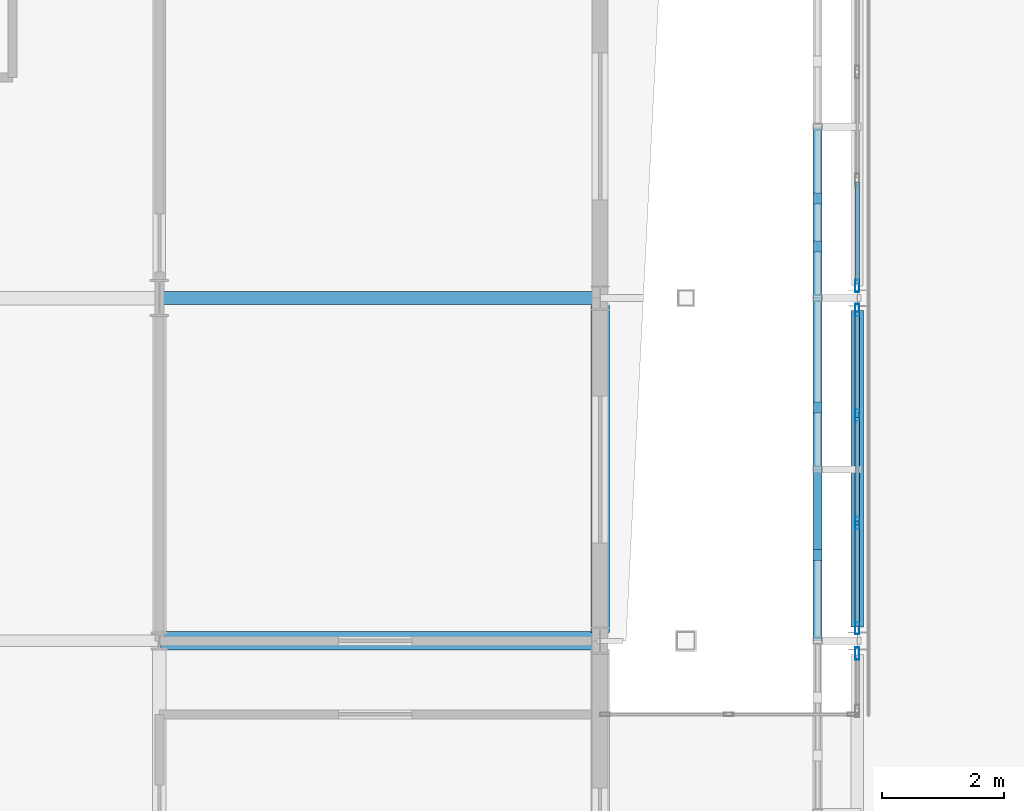
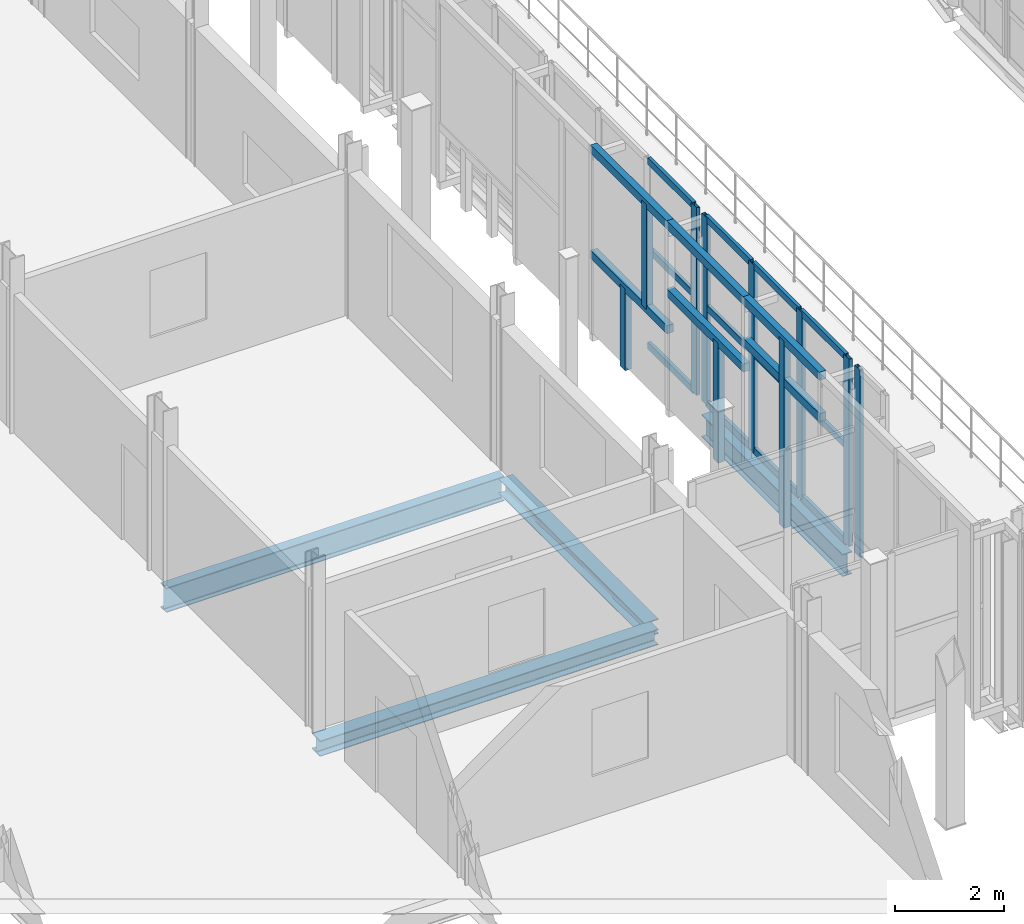
# One storey, part 21 of 78: 28 members, 4 beams, 3 elements without a shape of their own.
"""IFC4 building model written with IfcOpenShell, lengths in metres."""

from ifc_helpers import new_model, si_unit, direction, frame, origin, origin_2d, place, context, subcontext, project, spatial, rectangle, hollow_rectangle, i_section, extrude, material, layer, layer_set, material_profile, profile_set, type_object, element, aggregate, save


model = new_model("IFC4")

# Units and contexts
model_context = context("Model", 3, precision=1e-05, world=origin(), true_north=direction((0.0, 1.0)))
body_context = subcontext(model_context, "Body", "Model", "MODEL_VIEW")
ifc_project = project(units=[si_unit("LENGTHUNIT", "METRE"), si_unit("AREAUNIT", "SQUARE_METRE"), si_unit("VOLUMEUNIT", "CUBIC_METRE"), si_unit("PLANEANGLEUNIT", "RADIAN"), si_unit("MASSUNIT", "GRAM", prefix="KILO")], contexts=[model_context])

# Site, building, storey
site_placement = place(None, origin())
site = spatial("IfcSite", under=ifc_project, at=site_placement, CompositionType="ELEMENT")
building_placement = place(site_placement, origin())
building = spatial("IfcBuilding", under=site, at=building_placement, Name="Vinh Khe Railworks Police Headquarters", CompositionType="ELEMENT")
storey_placement = place(building_placement, frame((0.0, 0.0, 13.199951171875)))
storey = spatial("IfcBuildingStorey", under=building, at=storey_placement, Name="L03", CompositionType="ELEMENT", Elevation=13.199951171875)

# Members
ifc_material_1 = material(Name="Salvaged ironwood timber", Category="wood")
ifc_material_profile_1 = material_profile(ifc_material_1, rectangle(XDim=0.139892578125, YDim=0.179931640625, at=origin_2d()), Name="TIMBER 140x180")
ifc_profile_set_1 = profile_set([ifc_material_profile_1], Name="Salvaged ironwood timber")
member_type_1 = type_object("IfcMemberType", Name="MEM-QUILT-STILE", PredefinedType="CHORD", material=ifc_profile_set_1)
for number, where, z_axis, x_axis, name in (
    (1, (25.75, 30.800048828125, 4.1201171875), (0.0, 1.0, 0.0), (-1.0, 0.0, 0.0), "Salvaged Timber Quilt Transom W-L03-02-TOP"),
    (2, (25.75, 30.800048828125, 3.192138671875), (0.0, 1.0, 0.0), (-1.0, 0.0, 0.0), "Salvaged Timber Quilt Transom W-L03-02-M1"),
):
    element("IfcMember", number, at=place(storey_placement, frame(where, z_axis=z_axis, x_axis=x_axis)), inside=storey, type_object=member_type_1, Name=name, PredefinedType="CHORD", context=body_context, shape_type="SweptSolid", body=[
        extrude(rectangle(XDim=0.139892578125, YDim=0.179931640625, at=origin_2d()), origin(), (0.0, 0.0, 1.0), 2.800048828125),
    ])
member_1_placement = place(storey_placement, frame((25.75, 32.199951171875, -0.079833984375), z_axis=(0.0, 0.0, 1.0), x_axis=(1.0, 0.0, 0.0)))
element("IfcMember", 3, at=member_1_placement, inside=storey, type_object=member_type_1, Name="Salvaged Timber Quilt Stile W-L03-02-V1", PredefinedType="POST", context=body_context, shape_type="SweptSolid", body=[
    extrude(rectangle(XDim=0.139892578125, YDim=0.179931640625, at=origin_2d()), origin(), (0.0, 0.0, 1.0), 4.199951171875),
])
for number, where, z_axis, x_axis, name in (
    (4, (25.75, 33.60009765625, 4.1201171875), (0.0, 1.0, 0.0), (-1.0, 0.0, 0.0), "Salvaged Timber Quilt Transom W-L03-03-TOP"),
    (5, (25.75, 33.60009765625, 2.60400390625), (0.0, 1.0, 0.0), (-1.0, 0.0, 0.0), "Salvaged Timber Quilt Transom W-L03-03-M1"),
):
    element("IfcMember", number, at=place(storey_placement, frame(where, z_axis=z_axis, x_axis=x_axis)), inside=storey, type_object=member_type_1, Name=name, PredefinedType="CHORD", context=body_context, shape_type="SweptSolid", body=[
        extrude(rectangle(XDim=0.139892578125, YDim=0.179931640625, at=origin_2d()), origin(), (0.0, 0.0, 1.0), 2.7998046875),
    ])
member_2_placement = place(storey_placement, frame((25.75, 34.60791015625, -0.079833984375), z_axis=(0.0, 0.0, 1.0), x_axis=(1.0, 0.0, 0.0)))
element("IfcMember", 6, at=member_2_placement, inside=storey, type_object=member_type_1, Name="Salvaged Timber Quilt Stile W-L03-03-V1", PredefinedType="POST", context=body_context, shape_type="SweptSolid", body=[
    extrude(rectangle(XDim=0.139892578125, YDim=0.179931640625, at=origin_2d()), origin(), (0.0, 0.0, 1.0), 2.683837890625),
])
for number, where, z_axis, x_axis, name in (
    (7, (25.75, 36.39990234375, 4.1201171875), (0.0, 1.0, 0.0), (-1.0, 0.0, 0.0), "Salvaged Timber Quilt Transom W-L03-04-TOP"),
    (8, (25.75, 36.39990234375, 1.76416015625), (0.0, 1.0, 0.0), (-1.0, 0.0, 0.0), "Salvaged Timber Quilt Transom W-L03-04-M1"),
):
    element("IfcMember", number, at=place(storey_placement, frame(where, z_axis=z_axis, x_axis=x_axis)), inside=storey, type_object=member_type_1, Name=name, PredefinedType="CHORD", context=body_context, shape_type="SweptSolid", body=[
        extrude(rectangle(XDim=0.139892578125, YDim=0.179931640625, at=origin_2d()), origin(), (0.0, 0.0, 1.0), 2.800048828125),
    ])
member_3_placement = place(storey_placement, frame((25.75, 38.02392578125, -0.079833984375), z_axis=(0.0, 0.0, 1.0), x_axis=(1.0, 0.0, 0.0)))
element("IfcMember", 9, at=member_3_placement, inside=storey, type_object=member_type_1, Name="Salvaged Timber Quilt Stile W-L03-04-V1", PredefinedType="POST", context=body_context, shape_type="SweptSolid", body=[
    extrude(rectangle(XDim=0.139892578125, YDim=0.179931640625, at=origin_2d()), origin(), (0.0, 0.0, 1.0), 1.843994140625),
])
member_4_placement = place(storey_placement, frame((25.75, 37.239990234375, 1.76416015625), z_axis=(0.0, 0.0, 1.0), x_axis=(1.0, 0.0, 0.0)))
element("IfcMember", 10, at=member_4_placement, inside=storey, type_object=member_type_1, Name="Salvaged Timber Quilt Stile W-L03-04-V2", PredefinedType="POST", context=body_context, shape_type="SweptSolid", body=[
    extrude(rectangle(XDim=0.139892578125, YDim=0.179931640625, at=origin_2d()), origin(), (0.0, 0.0, 1.0), 2.35595703125),
])

# Curtain wall, member
ifc_material_2 = material(Name="Anodised aluminium and low-iron glass", Category="aluminium")
ifc_layer = layer(ifc_material_2, 0.179931640625)
ifc_layer_set = layer_set([ifc_layer], Name="Anodised aluminium and low-iron glass")
curtain_wall_type = type_object("IfcCurtainWallType", Name="CW-CUBE-UNIT", PredefinedType="USERDEFINED", material=ifc_layer_set)
curtain_wall_1_placement = place(storey_placement, origin())
curtain_wall_1 = element("IfcCurtainWall", 11, at=curtain_wall_1_placement, inside=storey, type_object=curtain_wall_type, Name="Entrance Hall Curtain Wall L03 W-1N", ObjectType="UNITISED GLAZING", PredefinedType="USERDEFINED")
ifc_material_3 = material(Name="Anodised aluminium 6063-T6", Category="aluminium")
ifc_material_profile_2 = material_profile(ifc_material_3, hollow_rectangle(XDim=0.070068359375, YDim=0.199951171875, WallThickness=0.0048828125, at=origin_2d()), Name="CW-M 70x200x5")
ifc_profile_set_2 = profile_set([ifc_material_profile_2], Name="Anodised aluminium 6063-T6")
member_type_2 = type_object("IfcMemberType", Name="MULL-CWM-03", PredefinedType="MULLION", material=ifc_profile_set_2)
member_5_placement = place(storey_placement, frame((26.39990234375, 30.594970703125, 0.0), z_axis=(0.0, 0.0, 1.0), x_axis=(-1.0, 0.0, 0.0)))
member_5 = element("IfcMember", 12, at=member_5_placement, type_object=member_type_2, Name="CW-01 mullion 2", PredefinedType="MULLION", context=body_context, shape_type="SweptSolid", body=[
    extrude(hollow_rectangle(XDim=0.070068359375, YDim=0.199951171875, WallThickness=0.0048828125, at=origin_2d()), origin(), (0.0, 0.0, 1.0), 4.199951171875),
])
aggregate(curtain_wall_1, [member_5])

# Curtain wall, members
curtain_wall_2_placement = place(storey_placement, origin())
curtain_wall_2 = element("IfcCurtainWall", 13, at=curtain_wall_2_placement, inside=storey, type_object=curtain_wall_type, Name="Entrance Hall Curtain Wall L03 W-2", ObjectType="UNITISED GLAZING", PredefinedType="USERDEFINED")
member_6_placement = place(storey_placement, frame((26.39990234375, 31.0048828125, 0.0), z_axis=(0.0, 0.0, 1.0), x_axis=(-1.0, 0.0, 0.0)))
member_6 = element("IfcMember", 14, at=member_6_placement, type_object=member_type_2, Name="CW-01 mullion 1", PredefinedType="MULLION", context=body_context, shape_type="SweptSolid", body=[
    extrude(hollow_rectangle(XDim=0.070068359375, YDim=0.199951171875, WallThickness=0.0048828125, at=origin_2d()), origin(), (0.0, 0.0, 1.0), 4.199951171875),
])
member_7_placement = place(storey_placement, frame((26.39990234375, 32.7265625, 0.0), z_axis=(0.0, 0.0, 1.0), x_axis=(-1.0, 0.0, 0.0)))
member_7 = element("IfcMember", 15, at=member_7_placement, type_object=member_type_2, Name="CW-01 mullion 2", PredefinedType="MULLION", context=body_context, shape_type="SweptSolid", body=[
    extrude(hollow_rectangle(XDim=0.070068359375, YDim=0.199951171875, WallThickness=0.0048828125, at=origin_2d()), origin(), (0.0, 0.0, 1.0), 4.199951171875),
])
member_8_placement = place(storey_placement, frame((26.39990234375, 34.4833984375, 0.0), z_axis=(0.0, 0.0, 1.0), x_axis=(-1.0, 0.0, 0.0)))
member_8 = element("IfcMember", 16, at=member_8_placement, type_object=member_type_2, Name="CW-01 mullion 3", PredefinedType="MULLION", context=body_context, shape_type="SweptSolid", body=[
    extrude(hollow_rectangle(XDim=0.070068359375, YDim=0.199951171875, WallThickness=0.0048828125, at=origin_2d()), origin(), (0.0, 0.0, 1.0), 4.199951171875),
])
member_9_placement = place(storey_placement, frame((26.39990234375, 36.205078125, 0.0), z_axis=(0.0, 0.0, 1.0), x_axis=(-1.0, 0.0, 0.0)))
member_9 = element("IfcMember", 17, at=member_9_placement, type_object=member_type_2, Name="CW-01 mullion 4", PredefinedType="MULLION", context=body_context, shape_type="SweptSolid", body=[
    extrude(hollow_rectangle(XDim=0.070068359375, YDim=0.199951171875, WallThickness=0.0048828125, at=origin_2d()), origin(), (0.0, 0.0, 1.0), 4.199951171875),
])

# Curtain wall, member
curtain_wall_3_placement = place(storey_placement, origin())
curtain_wall_3 = element("IfcCurtainWall", 18, at=curtain_wall_3_placement, inside=storey, type_object=curtain_wall_type, Name="Entrance Hall Curtain Wall L03 W-3", ObjectType="UNITISED GLAZING", PredefinedType="USERDEFINED")
member_10_placement = place(storey_placement, frame((26.39990234375, 36.594970703125, 0.0), z_axis=(0.0, 0.0, 1.0), x_axis=(-1.0, 0.0, 0.0)))
member_10 = element("IfcMember", 19, at=member_10_placement, type_object=member_type_2, Name="CW-01 mullion 1", PredefinedType="MULLION", context=body_context, shape_type="SweptSolid", body=[
    extrude(hollow_rectangle(XDim=0.070068359375, YDim=0.199951171875, WallThickness=0.0048828125, at=origin_2d()), origin(), (0.0, 0.0, 1.0), 4.199951171875),
])

# Beams
ifc_material_4 = material(Name="Steel S355JR", Category="steel")
ifc_material_profile_3 = material_profile(ifc_material_4, i_section(OverallWidth=0.300048828125, OverallDepth=0.330078125, WebThickness=0.009521484375, FlangeThickness=0.0166015625, FilletRadius=0.027099609375, at=origin_2d()), Name="HEA 340")
ifc_profile_set_3 = profile_set([ifc_material_profile_3], Name="Steel S355JR")
beam_type_1 = type_object("IfcBeamType", Name="Steel Girder HEA 340", PredefinedType="BEAM", material=ifc_profile_set_3)
beam_1_placement = place(storey_placement, frame((22.199951171875, 30.93505859375, -0.385009765625), z_axis=(0.0, 1.0, 0.0), x_axis=(-1.0, 0.0, 0.0)))
element("IfcBeam", 20, at=beam_1_placement, inside=storey, type_object=beam_type_1, Name="Girder BM-L03-NS-SB-16-1196", PredefinedType="BEAM", context=body_context, shape_type="SweptSolid", body=[
    extrude(i_section(OverallWidth=0.300048828125, OverallDepth=0.330078125, WebThickness=0.009521484375, FlangeThickness=0.0166015625, FilletRadius=0.027099609375, at=origin_2d()), origin(), (0.0, 0.0, 1.0), 5.33984375),
])
ifc_material_profile_4 = material_profile(ifc_material_4, i_section(OverallWidth=0.300048828125, OverallDepth=0.35009765625, WebThickness=0.010009765625, FlangeThickness=0.017578125, FilletRadius=0.027099609375, at=origin_2d()), Name="HEA 360")
ifc_profile_set_4 = profile_set([ifc_material_profile_4], Name="Steel S355JR")
beam_type_2 = type_object("IfcBeamType", Name="Steel Girder HEA 360", PredefinedType="BEAM", material=ifc_profile_set_4)
beam_2_placement = place(storey_placement, frame((15.02001953125, 30.800048828125, -0.39501953125), z_axis=(1.0, 0.0, 0.0), x_axis=(0.0, 1.0, 0.0)))
element("IfcBeam", 21, at=beam_2_placement, inside=storey, type_object=beam_type_2, Name="Girder BM-L03-EW-SB-15-1045", PredefinedType="BEAM", context=body_context, shape_type="SweptSolid", body=[
    extrude(i_section(OverallWidth=0.300048828125, OverallDepth=0.35009765625, WebThickness=0.010009765625, FlangeThickness=0.017578125, FilletRadius=0.027099609375, at=origin_2d()), origin(), (0.0, 0.0, 1.0), 7.159912109375),
])
ifc_material_profile_5 = material_profile(ifc_material_4, i_section(OverallWidth=0.199951171875, OverallDepth=0.5, WebThickness=0.01025390625, FlangeThickness=0.01611328125, FilletRadius=0.02099609375, at=origin_2d()), Name="IPE 500")
ifc_profile_set_5 = profile_set([ifc_material_profile_5], Name="Steel S355JR")
beam_type_3 = type_object("IfcBeamType", Name="Steel Girder IPE 500", PredefinedType="BEAM", material=ifc_profile_set_5)
beam_3_placement = place(storey_placement, frame((26.39990234375, 31.02490234375, -0.469970703125), z_axis=(0.0, 1.0, 0.0), x_axis=(-1.0, 0.0, 0.0)))
element("IfcBeam", 22, at=beam_3_placement, inside=storey, type_object=beam_type_3, Name="Girder BM-L03-NS-SB-19-1211", PredefinedType="BEAM", context=body_context, shape_type="SweptSolid", body=[
    extrude(i_section(OverallWidth=0.199951171875, OverallDepth=0.5, WebThickness=0.01025390625, FlangeThickness=0.01611328125, FilletRadius=0.02099609375, at=origin_2d()), origin(), (0.0, 0.0, 1.0), 5.175048828125),
])
ifc_material_profile_6 = material_profile(ifc_material_4, i_section(OverallWidth=0.2099609375, OverallDepth=0.550048828125, WebThickness=0.010986328125, FlangeThickness=0.01708984375, FilletRadius=0.02392578125, at=origin_2d()), Name="IPE 550")
ifc_profile_set_6 = profile_set([ifc_material_profile_6], Name="Steel S355JR")
beam_type_4 = type_object("IfcBeamType", Name="Steel Girder IPE 550", PredefinedType="BEAM", material=ifc_profile_set_6)
beam_4_placement = place(storey_placement, frame((15.02001953125, 36.39990234375, -0.494873046875), z_axis=(1.0, 0.0, 0.0), x_axis=(0.0, 1.0, 0.0)))
element("IfcBeam", 23, at=beam_4_placement, inside=storey, type_object=beam_type_4, Name="Girder BM-L03-EW-SB-18-1048", PredefinedType="BEAM", context=body_context, shape_type="SweptSolid", body=[
    extrude(i_section(OverallWidth=0.2099609375, OverallDepth=0.550048828125, WebThickness=0.010986328125, FlangeThickness=0.01708984375, FilletRadius=0.02392578125, at=origin_2d()), origin(), (0.0, 0.0, 1.0), 7.159912109375),
])

# Member
ifc_material_profile_7 = material_profile(ifc_material_3, hollow_rectangle(XDim=0.070068359375, YDim=0.14990234375, WallThickness=0.0048828125, at=origin_2d()), Name="CW-T 70x150x5")
ifc_profile_set_7 = profile_set([ifc_material_profile_7], Name="Anodised aluminium 6063-T6")
member_type_3 = type_object("IfcMemberType", Name="TRAN-CWT-03", PredefinedType="USERDEFINED", material=ifc_profile_set_7)
member_11_placement = place(storey_placement, frame((26.39990234375, 31.0400390625, 0.03515625), z_axis=(0.0, 1.0, 0.0), x_axis=(-1.0, 0.0, 0.0)))
member_11 = element("IfcMember", 24, at=member_11_placement, type_object=member_type_3, Name="CW-01 transom 1.1", ObjectType="TRANSOM", PredefinedType="USERDEFINED", context=body_context, shape_type="SweptSolid", body=[
    extrude(hollow_rectangle(XDim=0.070068359375, YDim=0.14990234375, WallThickness=0.0048828125, at=origin_2d()), origin(), (0.0, 0.0, 1.0), 1.651611328125),
])

member_12_placement = place(storey_placement, frame((26.39990234375, 31.0400390625, 2.18408203125), z_axis=(0.0, 1.0, 0.0), x_axis=(-1.0, 0.0, 0.0)))
member_12 = element("IfcMember", 25, at=member_12_placement, type_object=member_type_3, Name="CW-01 transom 1.2", ObjectType="TRANSOM", PredefinedType="USERDEFINED", context=body_context, shape_type="SweptSolid", body=[
    extrude(hollow_rectangle(XDim=0.070068359375, YDim=0.14990234375, WallThickness=0.0048828125, at=origin_2d()), origin(), (0.0, 0.0, 1.0), 1.651611328125),
])

member_13_placement = place(storey_placement, frame((26.39990234375, 31.0400390625, 4.1650390625), z_axis=(0.0, 1.0, 0.0), x_axis=(-1.0, 0.0, 0.0)))
member_13 = element("IfcMember", 26, at=member_13_placement, type_object=member_type_3, Name="CW-01 transom 1.3", ObjectType="TRANSOM", PredefinedType="USERDEFINED", context=body_context, shape_type="SweptSolid", body=[
    extrude(hollow_rectangle(XDim=0.070068359375, YDim=0.14990234375, WallThickness=0.0048828125, at=origin_2d()), origin(), (0.0, 0.0, 1.0), 1.651611328125),
])

member_14_placement = place(storey_placement, frame((26.39990234375, 32.76171875, 0.03515625), z_axis=(0.0, 1.0, 0.0), x_axis=(-1.0, 0.0, 0.0)))
member_14 = element("IfcMember", 27, at=member_14_placement, type_object=member_type_3, Name="CW-01 transom 2.1", ObjectType="TRANSOM", PredefinedType="USERDEFINED", context=body_context, shape_type="SweptSolid", body=[
    extrude(hollow_rectangle(XDim=0.070068359375, YDim=0.14990234375, WallThickness=0.0048828125, at=origin_2d()), origin(), (0.0, 0.0, 1.0), 1.6865234375),
])

member_15_placement = place(storey_placement, frame((26.39990234375, 32.76171875, 2.18408203125), z_axis=(0.0, 1.0, 0.0), x_axis=(-1.0, 0.0, 0.0)))
member_15 = element("IfcMember", 28, at=member_15_placement, type_object=member_type_3, Name="CW-01 transom 2.2", ObjectType="TRANSOM", PredefinedType="USERDEFINED", context=body_context, shape_type="SweptSolid", body=[
    extrude(hollow_rectangle(XDim=0.070068359375, YDim=0.14990234375, WallThickness=0.0048828125, at=origin_2d()), origin(), (0.0, 0.0, 1.0), 1.6865234375),
])

member_16_placement = place(storey_placement, frame((26.39990234375, 32.76171875, 4.1650390625), z_axis=(0.0, 1.0, 0.0), x_axis=(-1.0, 0.0, 0.0)))
member_16 = element("IfcMember", 29, at=member_16_placement, type_object=member_type_3, Name="CW-01 transom 2.3", ObjectType="TRANSOM", PredefinedType="USERDEFINED", context=body_context, shape_type="SweptSolid", body=[
    extrude(hollow_rectangle(XDim=0.070068359375, YDim=0.14990234375, WallThickness=0.0048828125, at=origin_2d()), origin(), (0.0, 0.0, 1.0), 1.6865234375),
])

member_17_placement = place(storey_placement, frame((26.39990234375, 34.518310546875, 0.03515625), z_axis=(0.0, 1.0, 0.0), x_axis=(-1.0, 0.0, 0.0)))
member_17 = element("IfcMember", 30, at=member_17_placement, type_object=member_type_3, Name="CW-01 transom 3.1", ObjectType="TRANSOM", PredefinedType="USERDEFINED", context=body_context, shape_type="SweptSolid", body=[
    extrude(hollow_rectangle(XDim=0.070068359375, YDim=0.14990234375, WallThickness=0.0048828125, at=origin_2d()), origin(), (0.0, 0.0, 1.0), 1.651611328125),
])

member_18_placement = place(storey_placement, frame((26.39990234375, 34.518310546875, 2.18408203125), z_axis=(0.0, 1.0, 0.0), x_axis=(-1.0, 0.0, 0.0)))
member_18 = element("IfcMember", 31, at=member_18_placement, type_object=member_type_3, Name="CW-01 transom 3.2", ObjectType="TRANSOM", PredefinedType="USERDEFINED", context=body_context, shape_type="SweptSolid", body=[
    extrude(hollow_rectangle(XDim=0.070068359375, YDim=0.14990234375, WallThickness=0.0048828125, at=origin_2d()), origin(), (0.0, 0.0, 1.0), 1.651611328125),
])

member_19_placement = place(storey_placement, frame((26.39990234375, 34.518310546875, 4.1650390625), z_axis=(0.0, 1.0, 0.0), x_axis=(-1.0, 0.0, 0.0)))
member_19 = element("IfcMember", 32, at=member_19_placement, type_object=member_type_3, Name="CW-01 transom 3.3", ObjectType="TRANSOM", PredefinedType="USERDEFINED", context=body_context, shape_type="SweptSolid", body=[
    extrude(hollow_rectangle(XDim=0.070068359375, YDim=0.14990234375, WallThickness=0.0048828125, at=origin_2d()), origin(), (0.0, 0.0, 1.0), 1.651611328125),
])

aggregate(curtain_wall_2, [member_6, member_7, member_8, member_9, member_11, member_12, member_13, member_14, member_15, member_16, member_17, member_18, member_19])

member_20_placement = place(storey_placement, frame((26.39990234375, 36.6298828125, 0.03515625), z_axis=(0.0, 1.0, 0.0), x_axis=(-1.0, 0.0, 0.0)))
member_20 = element("IfcMember", 33, at=member_20_placement, type_object=member_type_3, Name="CW-01 transom 1.1", ObjectType="TRANSOM", PredefinedType="USERDEFINED", context=body_context, shape_type="SweptSolid", body=[
    extrude(hollow_rectangle(XDim=0.070068359375, YDim=0.14990234375, WallThickness=0.0048828125, at=origin_2d()), origin(), (0.0, 0.0, 1.0), 1.661865234375),
])

member_21_placement = place(storey_placement, frame((26.39990234375, 36.6298828125, 2.18408203125), z_axis=(0.0, 1.0, 0.0), x_axis=(-1.0, 0.0, 0.0)))
member_21 = element("IfcMember", 34, at=member_21_placement, type_object=member_type_3, Name="CW-01 transom 1.2", ObjectType="TRANSOM", PredefinedType="USERDEFINED", context=body_context, shape_type="SweptSolid", body=[
    extrude(hollow_rectangle(XDim=0.070068359375, YDim=0.14990234375, WallThickness=0.0048828125, at=origin_2d()), origin(), (0.0, 0.0, 1.0), 1.661865234375),
])

member_22_placement = place(storey_placement, frame((26.39990234375, 36.6298828125, 4.1650390625), z_axis=(0.0, 1.0, 0.0), x_axis=(-1.0, 0.0, 0.0)))
member_22 = element("IfcMember", 35, at=member_22_placement, type_object=member_type_3, Name="CW-01 transom 1.3", ObjectType="TRANSOM", PredefinedType="USERDEFINED", context=body_context, shape_type="SweptSolid", body=[
    extrude(hollow_rectangle(XDim=0.070068359375, YDim=0.14990234375, WallThickness=0.0048828125, at=origin_2d()), origin(), (0.0, 0.0, 1.0), 1.661865234375),
])

aggregate(curtain_wall_3, [member_10, member_20, member_21, member_22])

save(model, "model.ifc")
